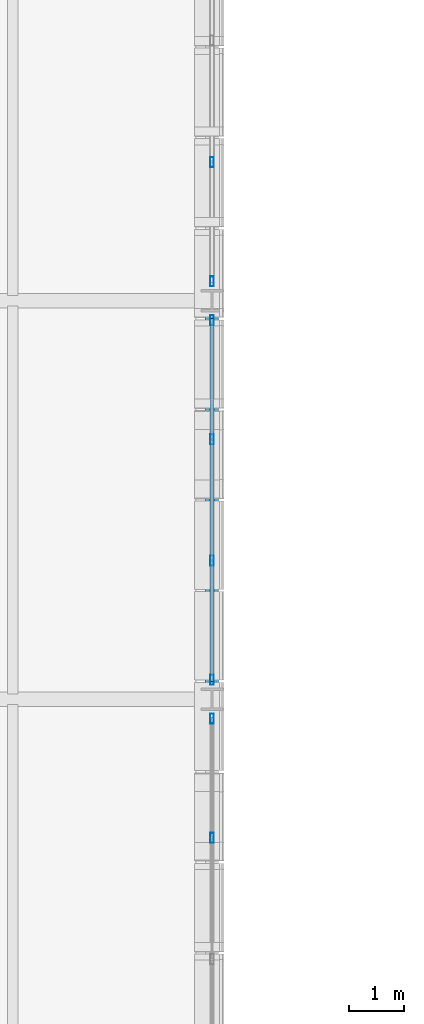
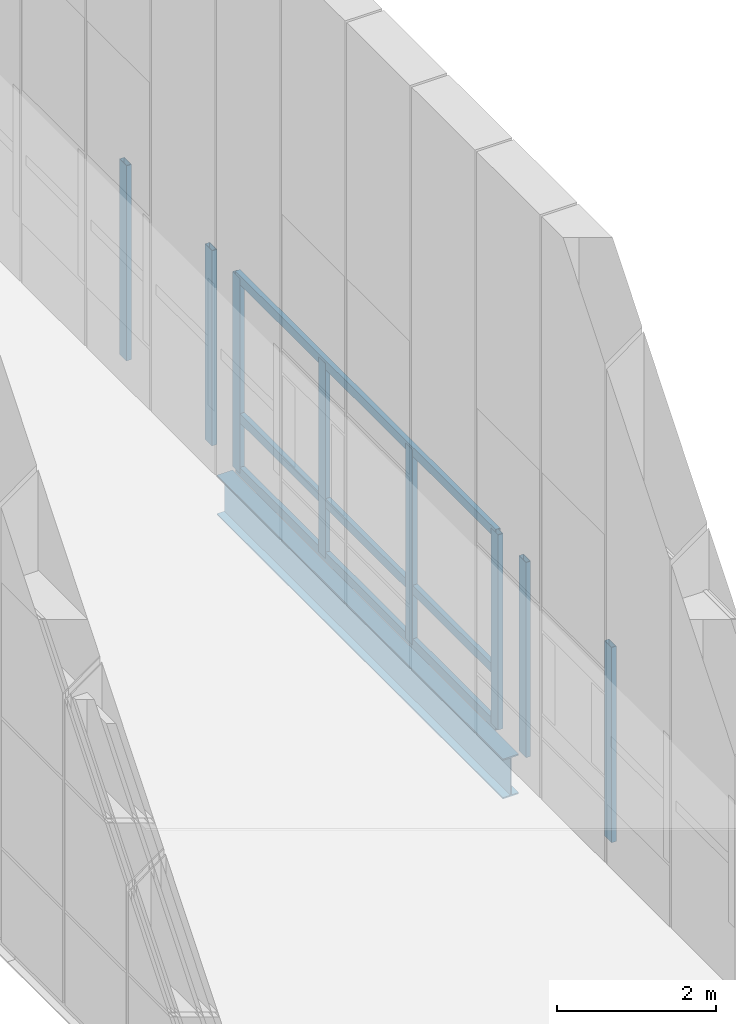
# One storey, part 20 of 144: 11 members, 1 beam, 3 elements without a shape of their own.
"""IFC4 building model written with IfcOpenShell, lengths in metres."""

from ifc_helpers import new_model, si_unit, direction, frame, origin, origin_2d, place, context, subcontext, project, spatial, hollow_rectangle, i_section, extrude, material, material_profile, profile_set, type_object, element, aggregate, save


model = new_model("IFC4")

# Units and contexts
model_context = context("Model", 3, precision=1e-05, world=origin(), true_north=direction((0.0, 1.0)))
body_context = subcontext(model_context, "Body", "Model", "MODEL_VIEW")
ifc_project = project(units=[si_unit("LENGTHUNIT", "METRE"), si_unit("AREAUNIT", "SQUARE_METRE"), si_unit("VOLUMEUNIT", "CUBIC_METRE"), si_unit("PLANEANGLEUNIT", "RADIAN"), si_unit("MASSUNIT", "GRAM", prefix="KILO")], contexts=[model_context])

# Site, building, storey
site_placement = place(None, origin())
site = spatial("IfcSite", under=ifc_project, at=site_placement, CompositionType="ELEMENT")
building_placement = place(site_placement, origin())
building = spatial("IfcBuilding", under=site, at=building_placement, Name="Yarey Park Central Fire Station", CompositionType="ELEMENT")
storey_placement = place(building_placement, frame((0.0, 0.0, 10.199951171875)))
storey = spatial("IfcBuildingStorey", under=building, at=storey_placement, Name="L03", CompositionType="ELEMENT", Elevation=10.199951171875)

# Curtain wall, members
ifc_material_1 = material(Name="Anodized Aluminium Frame", Category="aluminium")
curtain_wall_type = type_object("IfcCurtainWallType", Name="ENV_CW_V3_OVR1", PredefinedType="NOTDEFINED", material=ifc_material_1)
curtain_wall_1_placement = place(storey_placement, origin())
curtain_wall_1 = element("IfcCurtainWall", 1, at=curtain_wall_1_placement, inside=storey, type_object=curtain_wall_type, Name="CW_L03_V1_E_057", PredefinedType="NOTDEFINED")
ifc_material_profile_1 = material_profile(ifc_material_1, hollow_rectangle(XDim=0.070068359375, YDim=0.179931640625, WallThickness=0.00390625, at=origin_2d()), Name="ALU 180x70x4")
ifc_profile_set_1 = profile_set([ifc_material_profile_1], Name="Anodized Aluminium Frame")
member_type_1 = type_object("IfcMemberType", Name="ENV_CW_MULLION", PredefinedType="MULLION", material=ifc_profile_set_1)
member_1_placement = place(storey_placement, frame((57.60009765625, 33.49658203125, 0.0), z_axis=(0.0, 0.0, 1.0), x_axis=(1.0, 0.0, 0.0)))
member_1 = element("IfcMember", 2, at=member_1_placement, type_object=member_type_1, Name="CW_L03_V1_E_057_MUL3", PredefinedType="MULLION", context=body_context, shape_type="SweptSolid", body=[
    extrude(hollow_rectangle(XDim=0.070068359375, YDim=0.179931640625, WallThickness=0.00390625, at=origin_2d()), origin(), (0.0, 0.0, 1.0), 3.0),
])
member_2_placement = place(storey_placement, frame((57.60009765625, 35.64990234375, 0.0), z_axis=(0.0, 0.0, 1.0), x_axis=(1.0, 0.0, 0.0)))
member_2 = element("IfcMember", 3, at=member_2_placement, type_object=member_type_1, Name="CW_L03_V1_E_057_MUL4", PredefinedType="MULLION", context=body_context, shape_type="SweptSolid", body=[
    extrude(hollow_rectangle(XDim=0.070068359375, YDim=0.179931640625, WallThickness=0.00390625, at=origin_2d()), origin(), (0.0, 0.0, 1.0), 3.0),
])
aggregate(curtain_wall_1, [member_1, member_2])

curtain_wall_2_placement = place(storey_placement, origin())
curtain_wall_2 = element("IfcCurtainWall", 4, at=curtain_wall_2_placement, inside=storey, type_object=curtain_wall_type, Name="CW_L03_V1_E_058", PredefinedType="NOTDEFINED")
member_3_placement = place(storey_placement, frame((57.60009765625, 36.35009765625, 0.0), z_axis=(0.0, 0.0, 1.0), x_axis=(1.0, 0.0, 0.0)))
member_3 = element("IfcMember", 5, at=member_3_placement, type_object=member_type_1, Name="CW_L03_V1_E_058_MUL1", PredefinedType="MULLION", context=body_context, shape_type="SweptSolid", body=[
    extrude(hollow_rectangle(XDim=0.070068359375, YDim=0.179931640625, WallThickness=0.00390625, at=origin_2d()), origin(), (0.0, 0.0, 1.0), 3.0),
])
member_4_placement = place(storey_placement, frame((57.60009765625, 38.50341796875, 0.0), z_axis=(0.0, 0.0, 1.0), x_axis=(1.0, 0.0, 0.0)))
member_4 = element("IfcMember", 6, at=member_4_placement, type_object=member_type_1, Name="CW_L03_V1_E_058_MUL2", PredefinedType="MULLION", context=body_context, shape_type="SweptSolid", body=[
    extrude(hollow_rectangle(XDim=0.070068359375, YDim=0.179931640625, WallThickness=0.00390625, at=origin_2d()), origin(), (0.0, 0.0, 1.0), 3.0),
])
member_5_placement = place(storey_placement, frame((57.60009765625, 40.69677734375, 0.0), z_axis=(0.0, 0.0, 1.0), x_axis=(1.0, 0.0, 0.0)))
member_5 = element("IfcMember", 7, at=member_5_placement, type_object=member_type_1, Name="CW_L03_V1_E_058_MUL3", PredefinedType="MULLION", context=body_context, shape_type="SweptSolid", body=[
    extrude(hollow_rectangle(XDim=0.070068359375, YDim=0.179931640625, WallThickness=0.00390625, at=origin_2d()), origin(), (0.0, 0.0, 1.0), 3.0),
])
member_6_placement = place(storey_placement, frame((57.60009765625, 42.85009765625, 0.0), z_axis=(0.0, 0.0, 1.0), x_axis=(1.0, 0.0, 0.0)))
member_6 = element("IfcMember", 8, at=member_6_placement, type_object=member_type_1, Name="CW_L03_V1_E_058_MUL4", PredefinedType="MULLION", context=body_context, shape_type="SweptSolid", body=[
    extrude(hollow_rectangle(XDim=0.070068359375, YDim=0.179931640625, WallThickness=0.00390625, at=origin_2d()), origin(), (0.0, 0.0, 1.0), 3.0),
])

curtain_wall_3_placement = place(storey_placement, origin())
curtain_wall_3 = element("IfcCurtainWall", 9, at=curtain_wall_3_placement, inside=storey, type_object=curtain_wall_type, Name="CW_L03_V1_E_059", PredefinedType="NOTDEFINED")
member_7_placement = place(storey_placement, frame((57.60009765625, 43.550048828125, 0.0), z_axis=(0.0, 0.0, 1.0), x_axis=(1.0, 0.0, 0.0)))
member_7 = element("IfcMember", 10, at=member_7_placement, type_object=member_type_1, Name="CW_L03_V1_E_059_MUL1", PredefinedType="MULLION", context=body_context, shape_type="SweptSolid", body=[
    extrude(hollow_rectangle(XDim=0.070068359375, YDim=0.179931640625, WallThickness=0.00390625, at=origin_2d()), origin(), (0.0, 0.0, 1.0), 3.0),
])
member_8_placement = place(storey_placement, frame((57.60009765625, 45.703369140625, 0.0), z_axis=(0.0, 0.0, 1.0), x_axis=(1.0, 0.0, 0.0)))
member_8 = element("IfcMember", 11, at=member_8_placement, type_object=member_type_1, Name="CW_L03_V1_E_059_MUL2", PredefinedType="MULLION", context=body_context, shape_type="SweptSolid", body=[
    extrude(hollow_rectangle(XDim=0.070068359375, YDim=0.179931640625, WallThickness=0.00390625, at=origin_2d()), origin(), (0.0, 0.0, 1.0), 3.0),
])
aggregate(curtain_wall_3, [member_7, member_8])

# Member
ifc_material_profile_2 = material_profile(ifc_material_1, hollow_rectangle(XDim=0.070068359375, YDim=0.139892578125, WallThickness=0.00390625, at=origin_2d()), Name="ALU 140x70x4")
ifc_profile_set_2 = profile_set([ifc_material_profile_2], Name="Anodized Aluminium Frame")
member_type_2 = type_object("IfcMemberType", Name="ENV_CW_TRANSOM", PredefinedType="USERDEFINED", material=ifc_profile_set_2)
member_9_placement = place(storey_placement, frame((57.60009765625, 36.324951171875, 0.025146484375), z_axis=(0.0, 1.0, 0.0), x_axis=(-1.0, 0.0, 0.0)))
member_9 = element("IfcMember", 12, at=member_9_placement, type_object=member_type_2, Name="CW_L03_V1_E_058_TRN1", ObjectType="TRANSOM", PredefinedType="USERDEFINED", context=body_context, shape_type="SweptSolid", body=[
    extrude(hollow_rectangle(XDim=0.070068359375, YDim=0.139892578125, WallThickness=0.00390625, at=origin_2d()), origin(), (0.0, 0.0, 1.0), 6.550048828125),
])

member_10_placement = place(storey_placement, frame((57.60009765625, 36.324951171875, 0.85009765625), z_axis=(0.0, 1.0, 0.0), x_axis=(-1.0, 0.0, 0.0)))
member_10 = element("IfcMember", 13, at=member_10_placement, type_object=member_type_2, Name="CW_L03_V1_E_058_TRN2", ObjectType="TRANSOM", PredefinedType="USERDEFINED", context=body_context, shape_type="SweptSolid", body=[
    extrude(hollow_rectangle(XDim=0.070068359375, YDim=0.139892578125, WallThickness=0.00390625, at=origin_2d()), origin(), (0.0, 0.0, 1.0), 6.550048828125),
])

member_11_placement = place(storey_placement, frame((57.60009765625, 36.324951171875, 2.97509765625), z_axis=(0.0, 1.0, 0.0), x_axis=(-1.0, 0.0, 0.0)))
member_11 = element("IfcMember", 14, at=member_11_placement, type_object=member_type_2, Name="CW_L03_V1_E_058_TRN3", ObjectType="TRANSOM", PredefinedType="USERDEFINED", context=body_context, shape_type="SweptSolid", body=[
    extrude(hollow_rectangle(XDim=0.070068359375, YDim=0.139892578125, WallThickness=0.00390625, at=origin_2d()), origin(), (0.0, 0.0, 1.0), 6.550048828125),
])

aggregate(curtain_wall_2, [member_3, member_4, member_5, member_6, member_9, member_10, member_11])

# Beam
ifc_material_2 = material(Name="Steel ASTM A992 Gr. 50", Category="steel")
ifc_material_profile_3 = material_profile(ifc_material_2, i_section(OverallWidth=0.22900390625, OverallDepth=0.612060546875, WebThickness=0.011962890625, FlangeThickness=0.01953125, at=origin_2d()), Name="W610x125")
ifc_profile_set_3 = profile_set([ifc_material_profile_3], Name="Steel ASTM A992 Gr. 50")
beam_type = type_object("IfcBeamType", Name="STR_BM_W610", PredefinedType="BEAM", material=ifc_profile_set_3)
beam_placement = place(storey_placement, frame((57.60009765625, 36.0, -0.56591796875), z_axis=(0.0, 1.0, 0.0), x_axis=(-1.0, 0.0, 0.0)))
element("IfcBeam", 15, at=beam_placement, inside=storey, type_object=beam_type, Name="BMY L03 X576 Y360", PredefinedType="BEAM", context=body_context, shape_type="SweptSolid", body=[
    extrude(i_section(OverallWidth=0.22900390625, OverallDepth=0.612060546875, WebThickness=0.011962890625, FlangeThickness=0.01953125, at=origin_2d()), origin(), (0.0, 0.0, 1.0), 7.199951171875),
])

save(model, "model.ifc")
